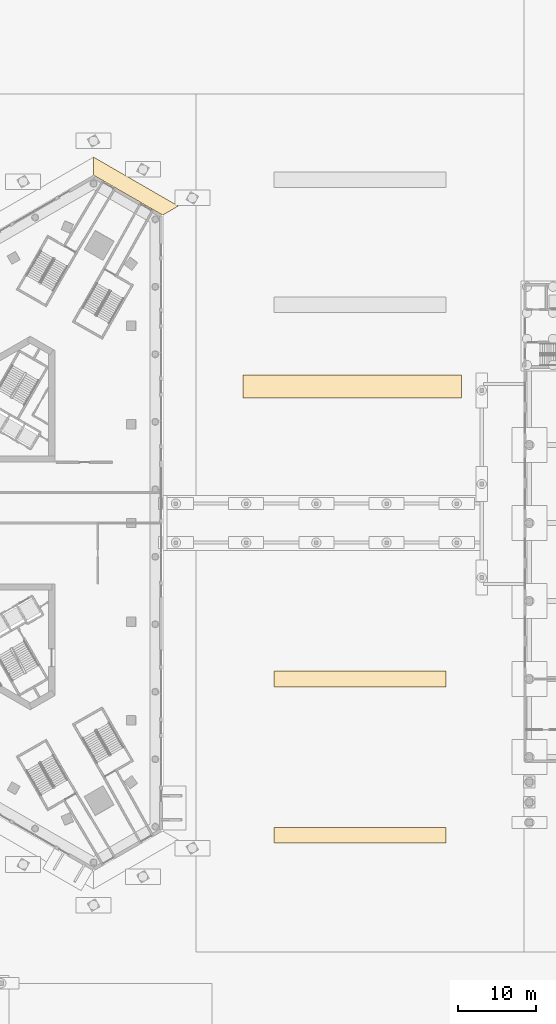
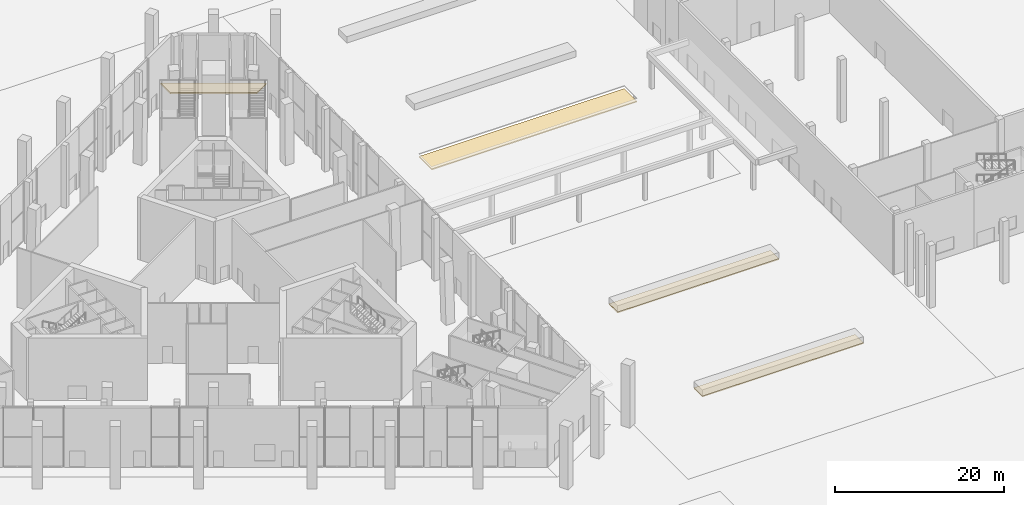
# One storey, part 52 of 63: 4 coverings.
"""IFC4 building model written with IfcOpenShell, lengths in metres."""

from ifc_helpers import new_model, si_unit, direction, frame, origin, place, context, subcontext, project, spatial, polyline, outline, extrude, material, layer, layer_set, type_object, element, save


model = new_model("IFC4")

# Units and contexts
model_context = context("Model", 3, precision=1e-05, world=origin(), true_north=direction((0.0, 1.0)))
body_context = subcontext(model_context, "Body", "Model", "MODEL_VIEW")
ifc_project = project(units=[si_unit("LENGTHUNIT", "METRE"), si_unit("AREAUNIT", "SQUARE_METRE"), si_unit("VOLUMEUNIT", "CUBIC_METRE"), si_unit("PLANEANGLEUNIT", "RADIAN"), si_unit("MASSUNIT", "GRAM", prefix="KILO")], contexts=[model_context])

# Site, building, storey
site_placement = place(None, origin())
site = spatial("IfcSite", under=ifc_project, at=site_placement, CompositionType="ELEMENT")
building_placement = place(site_placement, origin())
building = spatial("IfcBuilding", under=site, at=building_placement, Name="Jabali Bay Hotel Tower and Convention Centre", CompositionType="ELEMENT")
storey_placement = place(building_placement, origin())
storey = spatial("IfcBuildingStorey", under=building, at=storey_placement, Name="L00", CompositionType="ELEMENT", Elevation=0.0)

# Coverings
ifc_material = material(Name="Precast concrete paving flags", Category="concrete")
ifc_layer_1 = layer(ifc_material, 0.199951171875)
ifc_layer_set_1 = layer_set([ifc_layer_1], Name="Precast concrete paving flags")
covering_type_1 = type_object("IfcCoveringType", Name="Podium apron paving 200", PredefinedType="USERDEFINED", material=ifc_layer_set_1)
covering_1_placement = place(storey_placement, frame((0.0, 0.0, -0.199951171875)))
element("IfcCovering", 1, at=covering_1_placement, inside=storey, type_object=covering_type_1, Name="Apron paving north-east chamfer", ObjectType="PAVING", PredefinedType="USERDEFINED", context=body_context, shape_type="SweptSolid", body=[
    extrude(outline(polyline([(103.699951171875, 119.47900390625), (94.83984375, 124.594482421875), (94.83984375, 126.90380859375), (105.699951171875, 120.633544921875), (103.699951171875, 119.47900390625)])), origin(), (0.0, 0.0, 1.0), 0.199951171875),
])
ifc_layer_2 = layer(ifc_material, 0.14990234375)
ifc_layer_set_2 = layer_set([ifc_layer_2], Name="Precast concrete paving flags")
covering_type_2 = type_object("IfcCoveringType", Name="SI Paving 150", PredefinedType="USERDEFINED", material=ifc_layer_set_2)
covering_2_placement = place(storey_placement, frame((0.0, 0.0, -0.14990234375)))
element("IfcCovering", 2, at=covering_2_placement, inside=storey, type_object=covering_type_2, Name="SI site paving 4", ObjectType="PAVING", PredefinedType="USERDEFINED", context=body_context, shape_type="SweptSolid", body=[
    extrude(outline(polyline([(139.98193359375, 61.0), (139.97998046875, 61.0), (118.02001953125, 61.0), (118.01806640625, 61.0), (118.01611328125, 60.99951171875), (118.01416015625, 60.9990234375), (118.012451171875, 60.99853515625), (118.010498046875, 60.99755859375), (118.0087890625, 60.99658203125), (118.00732421875, 60.995361328125), (118.005859375, 60.994140625), (118.004638671875, 60.99267578125), (118.00341796875, 60.9912109375), (118.00244140625, 60.989501953125), (118.00146484375, 60.987548828125), (118.0009765625, 60.98583984375), (118.00048828125, 60.98388671875), (118.0, 60.98193359375), (118.0, 60.97998046875), (118.0, 59.02001953125), (118.0, 59.01806640625), (118.00048828125, 59.01611328125), (118.0009765625, 59.01416015625), (118.00146484375, 59.012451171875), (118.00244140625, 59.010498046875), (118.00341796875, 59.0087890625), (118.004638671875, 59.00732421875), (118.005859375, 59.005859375), (118.00732421875, 59.004638671875), (118.0087890625, 59.00341796875), (118.010498046875, 59.00244140625), (118.012451171875, 59.00146484375), (118.01416015625, 59.0009765625), (118.01611328125, 59.00048828125), (118.01806640625, 59.0), (118.02001953125, 59.0), (139.97998046875, 59.0), (139.98193359375, 59.0), (139.98388671875, 59.00048828125), (139.98583984375, 59.0009765625), (139.987548828125, 59.00146484375), (139.989501953125, 59.00244140625), (139.9912109375, 59.00341796875), (139.99267578125, 59.004638671875), (139.994140625, 59.005859375), (139.995361328125, 59.00732421875), (139.99658203125, 59.0087890625), (139.99755859375, 59.010498046875), (139.99853515625, 59.012451171875), (139.9990234375, 59.01416015625), (139.99951171875, 59.01611328125), (140.0, 59.01806640625), (140.0, 59.02001953125), (140.0, 60.97998046875), (140.0, 60.98193359375), (139.99951171875, 60.98388671875), (139.9990234375, 60.98583984375), (139.99853515625, 60.987548828125), (139.99755859375, 60.989501953125), (139.99658203125, 60.9912109375), (139.995361328125, 60.99267578125), (139.994140625, 60.994140625), (139.99267578125, 60.995361328125), (139.9912109375, 60.99658203125), (139.989501953125, 60.99755859375), (139.987548828125, 60.99853515625), (139.98583984375, 60.9990234375), (139.98388671875, 60.99951171875), (139.98193359375, 61.0)])), origin(), (0.0, 0.0, 1.0), 0.14990234375),
])
covering_3_placement = place(storey_placement, frame((0.0, 0.0, -0.14990234375)))
element("IfcCovering", 3, at=covering_3_placement, inside=storey, type_object=covering_type_2, Name="SI site paving 5", ObjectType="PAVING", PredefinedType="USERDEFINED", context=body_context, shape_type="SweptSolid", body=[
    extrude(outline(polyline([(139.98193359375, 41.0), (139.97998046875, 41.0), (118.02001953125, 41.0), (118.01806640625, 41.0), (118.01611328125, 40.99951171875), (118.01416015625, 40.9990234375), (118.012451171875, 40.99853515625), (118.010498046875, 40.99755859375), (118.0087890625, 40.99658203125), (118.00732421875, 40.995361328125), (118.005859375, 40.994140625), (118.004638671875, 40.99267578125), (118.00341796875, 40.9912109375), (118.00244140625, 40.989501953125), (118.00146484375, 40.987548828125), (118.0009765625, 40.98583984375), (118.00048828125, 40.98388671875), (118.0, 40.98193359375), (118.0, 40.97998046875), (118.0, 39.02001953125), (118.0, 39.01806640625), (118.00048828125, 39.01611328125), (118.0009765625, 39.01416015625), (118.00146484375, 39.012451171875), (118.00244140625, 39.010498046875), (118.00341796875, 39.0087890625), (118.004638671875, 39.00732421875), (118.005859375, 39.005859375), (118.00732421875, 39.004638671875), (118.0087890625, 39.00341796875), (118.010498046875, 39.00244140625), (118.012451171875, 39.00146484375), (118.01416015625, 39.0009765625), (118.01611328125, 39.00048828125), (118.01806640625, 39.0), (118.02001953125, 39.0), (139.97998046875, 39.0), (139.98193359375, 39.0), (139.98388671875, 39.00048828125), (139.98583984375, 39.0009765625), (139.987548828125, 39.00146484375), (139.989501953125, 39.00244140625), (139.9912109375, 39.00341796875), (139.99267578125, 39.004638671875), (139.994140625, 39.005859375), (139.995361328125, 39.00732421875), (139.99658203125, 39.0087890625), (139.99755859375, 39.010498046875), (139.99853515625, 39.012451171875), (139.9990234375, 39.01416015625), (139.99951171875, 39.01611328125), (140.0, 39.01806640625), (140.0, 39.02001953125), (140.0, 40.97998046875), (140.0, 40.98193359375), (139.99951171875, 40.98388671875), (139.9990234375, 40.98583984375), (139.99853515625, 40.987548828125), (139.99755859375, 40.989501953125), (139.99658203125, 40.9912109375), (139.995361328125, 40.99267578125), (139.994140625, 40.994140625), (139.99267578125, 40.995361328125), (139.9912109375, 40.99658203125), (139.989501953125, 40.99755859375), (139.987548828125, 40.99853515625), (139.98583984375, 40.9990234375), (139.98388671875, 40.99951171875), (139.98193359375, 41.0)])), origin(), (0.0, 0.0, 1.0), 0.14990234375),
])
ifc_layer_3 = layer(ifc_material, 0.14990234375)
ifc_layer_set_3 = layer_set([ifc_layer_3], Name="Precast concrete paving flags")
covering_type_3 = type_object("IfcCoveringType", Name="SI Rill Basin Lining 150", PredefinedType="USERDEFINED", material=ifc_layer_set_3)
covering_4_placement = place(storey_placement, frame((0.0, 0.0, -0.550048828125)))
element("IfcCovering", 4, at=covering_4_placement, inside=storey, type_object=covering_type_3, Name="SI water rill basin", ObjectType="PAVING", PredefinedType="USERDEFINED", context=body_context, shape_type="SweptSolid", body=[
    extrude(outline(polyline([(142.0, 96.0), (142.0, 99.0), (114.0, 99.0), (114.0, 96.0), (142.0, 96.0)])), origin(), (0.0, 0.0, 1.0), 0.150146484375),
])

save(model, "model.ifc")
